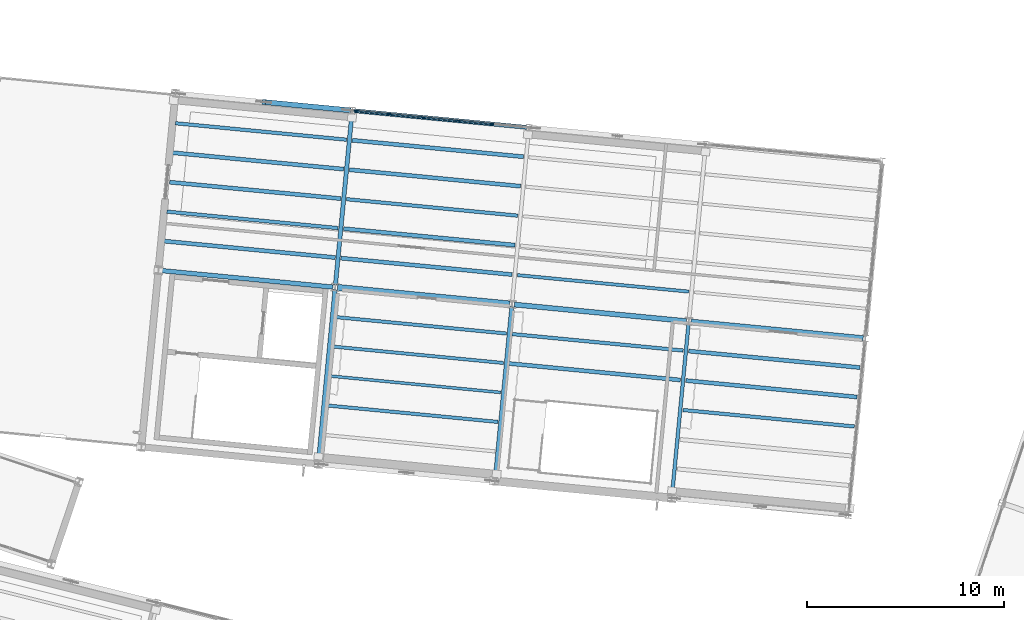
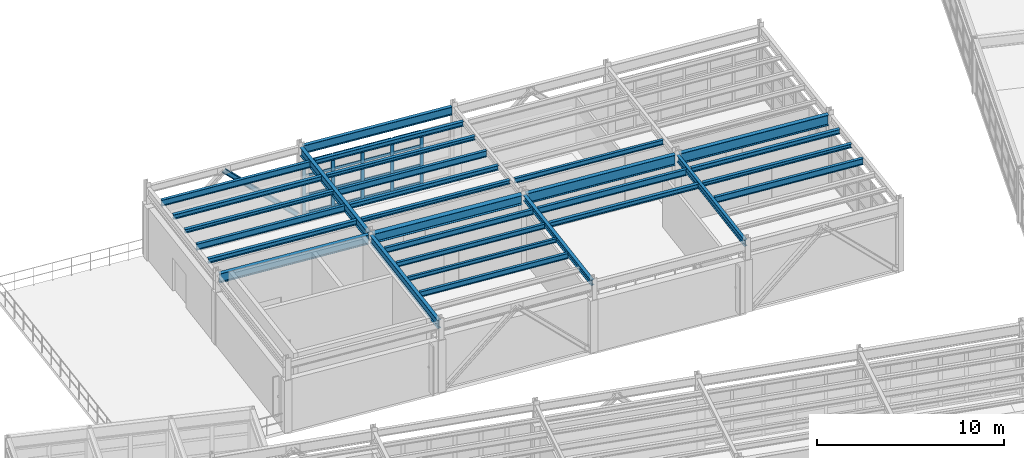
# One storey, part 46 of 102: 29 beams, 22 members, 1 element without a shape of its own.
"""IFC4 building model written with IfcOpenShell, lengths in metres."""

from ifc_helpers import new_model, si_unit, direction, frame, origin, origin_2d, place, context, subcontext, project, spatial, rectangle, i_section, extrude, material, layer, layer_set, material_profile, profile_set, type_object, element, aggregate, save


model = new_model("IFC4")

# Units and contexts
model_context = context("Model", 3, precision=1e-05, world=origin(), true_north=direction((0.0, 1.0)))
body_context = subcontext(model_context, "Body", "Model", "MODEL_VIEW")
ifc_project = project(units=[si_unit("LENGTHUNIT", "METRE"), si_unit("AREAUNIT", "SQUARE_METRE"), si_unit("VOLUMEUNIT", "CUBIC_METRE"), si_unit("PLANEANGLEUNIT", "RADIAN"), si_unit("MASSUNIT", "GRAM", prefix="KILO")], contexts=[model_context])

# Site, building, storey
site_placement = place(None, origin())
site = spatial("IfcSite", under=ifc_project, at=site_placement, CompositionType="ELEMENT")
building_placement = place(site_placement, origin())
building = spatial("IfcBuilding", under=site, at=building_placement, Name="Vireo Bluff Cable Station", CompositionType="ELEMENT")
storey_placement = place(building_placement, frame((0.0, 0.0, 9.60009765625)))
storey = spatial("IfcBuildingStorey", under=building, at=storey_placement, Name="L02", CompositionType="ELEMENT", Elevation=9.60009765625)

# Beams
ifc_material_1 = material(Name="Steel ASTM A992 Gr. 50", Category="steel")
ifc_material_profile_1 = material_profile(ifc_material_1, i_section(OverallWidth=0.2041015625, OverallDepth=0.35009765625, WebThickness=0.008544921875, FlangeThickness=0.01513671875, FilletRadius=0.010009765625, at=origin_2d()), Name="W14X48")
ifc_profile_set_1 = profile_set([ifc_material_profile_1], Name="Steel ASTM A992 Gr. 50")
beam_type_1 = type_object("IfcBeamType", Name="BM-W14X48", PredefinedType="BEAM", material=ifc_profile_set_1)
beam_1_placement = place(storey_placement, frame((85.666748046875, 65.398193359375, 4.324951171875), z_axis=(0.095846764416, 0.995396100932, 0.0), x_axis=(-0.995396100932, 0.095846764416, 0.0)))
element("IfcBeam", 1, at=beam_1_placement, inside=storey, type_object=beam_type_1, Name="V3 L02 beam 728", PredefinedType="BEAM", context=body_context, shape_type="SweptSolid", body=[
    extrude(i_section(OverallWidth=0.2041015625, OverallDepth=0.35009765625, WebThickness=0.008544921875, FlangeThickness=0.01513671875, FilletRadius=0.010009765625, at=origin_2d()), origin(), (0.0, 0.0, 1.0), 8.759765625),
])
ifc_material_profile_2 = material_profile(ifc_material_1, i_section(OverallWidth=0.180908203125, OverallDepth=0.4169921875, WebThickness=0.010986328125, FlangeThickness=0.018310546875, FilletRadius=0.010009765625, at=origin_2d()), Name="W16X57")
ifc_profile_set_2 = profile_set([ifc_material_profile_2], Name="Steel ASTM A992 Gr. 50")
beam_type_2 = type_object("IfcBeamType", Name="BM-W16X57", PredefinedType="BEAM", material=ifc_profile_set_2)
beam_2_placement = place(storey_placement, frame((94.625244140625, 64.535400390625, 4.29150390625), z_axis=(0.095844105487, 0.995396356957, 0.0), x_axis=(-0.995396356957, 0.095844105487, 0.0)))
element("IfcBeam", 2, at=beam_2_placement, inside=storey, type_object=beam_type_2, Name="V3 L02 beam 730", PredefinedType="BEAM", context=body_context, shape_type="SweptSolid", body=[
    extrude(i_section(OverallWidth=0.180908203125, OverallDepth=0.4169921875, WebThickness=0.010986328125, FlangeThickness=0.018310546875, FilletRadius=0.010009765625, at=origin_2d()), origin(), (0.0, 0.0, 1.0), 8.760009765625),
])
ifc_material_profile_3 = material_profile(ifc_material_1, i_section(OverallWidth=0.2099609375, OverallDepth=0.535888671875, WebThickness=0.010986328125, FlangeThickness=0.017333984375, FilletRadius=0.012939453125, at=origin_2d()), Name="W21X68")
ifc_profile_set_3 = profile_set([ifc_material_profile_3], Name="Steel ASTM A992 Gr. 50")
beam_type_3 = type_object("IfcBeamType", Name="BM-W21X68", PredefinedType="BEAM", material=ifc_profile_set_3)
beam_3_placement = place(storey_placement, frame((76.708251953125, 66.2607421875, 4.23193359375), z_axis=(0.095844105487, 0.995396356957, 0.0), x_axis=(-0.995396356957, 0.095844105487, 0.0)))
element("IfcBeam", 3, at=beam_3_placement, inside=storey, type_object=beam_type_3, Name="V3 L02 beam 726", PredefinedType="BEAM", context=body_context, shape_type="SweptSolid", body=[
    extrude(i_section(OverallWidth=0.2099609375, OverallDepth=0.535888671875, WebThickness=0.010986328125, FlangeThickness=0.017333984375, FilletRadius=0.012939453125, at=origin_2d()), origin(), (0.0, 0.0, 1.0), 8.760009765625),
])
ifc_material_profile_4 = material_profile(ifc_material_1, i_section(OverallWidth=0.214111328125, OverallDepth=0.549072265625, WebThickness=0.0146484375, FlangeThickness=0.023681640625, FilletRadius=0.012939453125, at=origin_2d()), Name="W21X93")
ifc_profile_set_4 = profile_set([ifc_material_profile_4], Name="Steel ASTM A992 Gr. 50")
beam_type_4 = type_object("IfcBeamType", Name="BM-W21X93", PredefinedType="BEAM", material=ifc_profile_set_4)
beam_4_placement = place(storey_placement, frame((77.57080078125, 75.21923828125, 4.225341796875), z_axis=(0.095844105487, 0.995396356957, 0.0), x_axis=(-0.995396356957, 0.095844105487, 0.0)))
element("IfcBeam", 4, at=beam_4_placement, inside=storey, type_object=beam_type_4, Name="V3 L02 beam 727", PredefinedType="BEAM", context=body_context, shape_type="SweptSolid", body=[
    extrude(i_section(OverallWidth=0.214111328125, OverallDepth=0.549072265625, WebThickness=0.0146484375, FlangeThickness=0.023681640625, FilletRadius=0.012939453125, at=origin_2d()), origin(), (0.0, 0.0, 1.0), 8.760009765625),
])

# Member
ifc_material_profile_5 = material_profile(ifc_material_1, i_section(OverallWidth=0.257080078125, OverallDepth=0.263916015625, WebThickness=0.011962890625, FlangeThickness=0.01953125, FilletRadius=0.009033203125, at=origin_2d()), Name="W10X68")
ifc_profile_set_5 = profile_set([ifc_material_profile_5], Name="Steel ASTM A992 Gr. 50")
member_type_1 = type_object("IfcMemberType", Name="BRC-03", PredefinedType="BRACE", material=ifc_profile_set_5)
member_1_placement = place(storey_placement, frame((78.2626953125, 84.07373046875, 0.039794921875), z_axis=(-0.720243592379, 0.069358297904, 0.690245314471), x_axis=(-0.095854965264, -0.995395311238, 0.0)))
element("IfcMember", 5, at=member_1_placement, inside=storey, type_object=member_type_1, Name="V3 L02 concentric brace 56R", PredefinedType="BRACE", context=body_context, shape_type="SweptSolid", body=[
    extrude(i_section(OverallWidth=0.257080078125, OverallDepth=0.263916015625, WebThickness=0.011962890625, FlangeThickness=0.01953125, FilletRadius=0.009033203125, at=origin_2d()), origin(), (0.0, 0.0, 1.0), 5.998046875),
])

# Curtain wall, members
ifc_material_2 = material(Name="Anodized Aluminium 6063-T6", Category="aluminium")
ifc_layer = layer(ifc_material_2, 0.179931640625, Name="Anodized Aluminium 6063-T6")
ifc_layer_set = layer_set([ifc_layer], Name="Anodized Aluminium 6063-T6")
curtain_wall_type = type_object("IfcCurtainWallType", Name="CW-UNIT-1650", PredefinedType="USERDEFINED", material=ifc_layer_set)
curtain_wall_placement = place(storey_placement, origin())
curtain_wall = element("IfcCurtainWall", 6, at=curtain_wall_placement, inside=storey, type_object=curtain_wall_type, Name="V3 L02 north curtain wall CW-077", ObjectType="UNITISED CURTAIN WALL", PredefinedType="USERDEFINED")
ifc_material_profile_6 = material_profile(ifc_material_2, rectangle(XDim=0.074951171875, YDim=0.2099609375, at=origin_2d()), Name="ALU-M-75X210")
ifc_profile_set_6 = profile_set([ifc_material_profile_6], Name="Anodized Aluminium 6063-T6")
member_type_2 = type_object("IfcMemberType", Name="CWM-02", PredefinedType="MULLION", material=ifc_profile_set_6)
member_2_placement = place(storey_placement, frame((78.616943359375, 84.03955078125, 0.0), z_axis=(0.0, 0.0, 1.0), x_axis=(0.09584571119, 0.995396202347, 0.0)))
member_2 = element("IfcMember", 7, at=member_2_placement, type_object=member_type_2, Name="CW-077 mullion 1", PredefinedType="MULLION", context=body_context, shape_type="SweptSolid", body=[
    extrude(rectangle(XDim=0.074951171875, YDim=0.2099609375, at=origin_2d()), origin(), (0.0, 0.0, 1.0), 3.39990234375),
])
member_3_placement = place(storey_placement, frame((80.30859375, 83.876708984375, 0.0), z_axis=(0.0, 0.0, 1.0), x_axis=(0.09584571119, 0.995396202347, 0.0)))
member_3 = element("IfcMember", 8, at=member_3_placement, type_object=member_type_2, Name="CW-077 mullion 2", PredefinedType="MULLION", context=body_context, shape_type="SweptSolid", body=[
    extrude(rectangle(XDim=0.074951171875, YDim=0.2099609375, at=origin_2d()), origin(), (0.0, 0.0, 1.0), 3.39990234375),
])
member_4_placement = place(storey_placement, frame((82.03759765625, 83.710205078125, 0.0), z_axis=(0.0, 0.0, 1.0), x_axis=(0.09584571119, 0.995396202347, 0.0)))
member_4 = element("IfcMember", 9, at=member_4_placement, type_object=member_type_2, Name="CW-077 mullion 3", PredefinedType="MULLION", context=body_context, shape_type="SweptSolid", body=[
    extrude(rectangle(XDim=0.074951171875, YDim=0.2099609375, at=origin_2d()), origin(), (0.0, 0.0, 1.0), 3.39990234375),
])
member_5_placement = place(storey_placement, frame((83.7666015625, 83.543701171875, 0.0), z_axis=(0.0, 0.0, 1.0), x_axis=(0.09584571119, 0.995396202347, 0.0)))
member_5 = element("IfcMember", 10, at=member_5_placement, type_object=member_type_2, Name="CW-077 mullion 4", PredefinedType="MULLION", context=body_context, shape_type="SweptSolid", body=[
    extrude(rectangle(XDim=0.074951171875, YDim=0.2099609375, at=origin_2d()), origin(), (0.0, 0.0, 1.0), 3.39990234375),
])
member_6_placement = place(storey_placement, frame((85.49560546875, 83.377197265625, 0.0), z_axis=(0.0, 0.0, 1.0), x_axis=(0.09584571119, 0.995396202347, 0.0)))
member_6 = element("IfcMember", 11, at=member_6_placement, type_object=member_type_2, Name="CW-077 mullion 5", PredefinedType="MULLION", context=body_context, shape_type="SweptSolid", body=[
    extrude(rectangle(XDim=0.074951171875, YDim=0.2099609375, at=origin_2d()), origin(), (0.0, 0.0, 1.0), 3.39990234375),
])
ifc_material_profile_7 = material_profile(ifc_material_2, rectangle(XDim=0.074951171875, YDim=0.159912109375, at=origin_2d()), Name="ALU-T-75X160")
ifc_profile_set_7 = profile_set([ifc_material_profile_7], Name="Anodized Aluminium 6063-T6")
member_type_3 = type_object("IfcMemberType", Name="CWT-02", PredefinedType="USERDEFINED", material=ifc_profile_set_7)
member_7_placement = place(storey_placement, frame((78.654296875, 84.0361328125, 0.037353515625), z_axis=(0.995392216614, -0.095887095606, 0.0), x_axis=(0.095887095606, 0.995392216614, 0.0)))
member_7 = element("IfcMember", 12, at=member_7_placement, type_object=member_type_3, Name="CW-077 transom 1.1", ObjectType="TRANSOM", PredefinedType="USERDEFINED", context=body_context, shape_type="SweptSolid", body=[
    extrude(rectangle(XDim=0.074951171875, YDim=0.159912109375, at=origin_2d()), origin(), (0.0, 0.0, 1.0), 1.62451171875),
])
member_8_placement = place(storey_placement, frame((78.654296875, 84.0361328125, 1.18994140625), z_axis=(0.995392216614, -0.095887095606, 0.0), x_axis=(0.095887095606, 0.995392216614, 0.0)))
member_8 = element("IfcMember", 13, at=member_8_placement, type_object=member_type_3, Name="CW-077 transom 1.2", ObjectType="TRANSOM", PredefinedType="USERDEFINED", context=body_context, shape_type="SweptSolid", body=[
    extrude(rectangle(XDim=0.074951171875, YDim=0.159912109375, at=origin_2d()), origin(), (0.0, 0.0, 1.0), 1.62451171875),
])
member_9_placement = place(storey_placement, frame((78.654296875, 84.0361328125, 2.447998046875), z_axis=(0.995392216614, -0.095887095606, 0.0), x_axis=(0.095887095606, 0.995392216614, 0.0)))
member_9 = element("IfcMember", 14, at=member_9_placement, type_object=member_type_3, Name="CW-077 transom 1.3", ObjectType="TRANSOM", PredefinedType="USERDEFINED", context=body_context, shape_type="SweptSolid", body=[
    extrude(rectangle(XDim=0.074951171875, YDim=0.159912109375, at=origin_2d()), origin(), (0.0, 0.0, 1.0), 1.62451171875),
])
member_10_placement = place(storey_placement, frame((78.654296875, 84.0361328125, 3.3623046875), z_axis=(0.995392216614, -0.095887095606, 0.0), x_axis=(0.095887095606, 0.995392216614, 0.0)))
member_10 = element("IfcMember", 15, at=member_10_placement, type_object=member_type_3, Name="CW-077 transom 1.4", ObjectType="TRANSOM", PredefinedType="USERDEFINED", context=body_context, shape_type="SweptSolid", body=[
    extrude(rectangle(XDim=0.074951171875, YDim=0.159912109375, at=origin_2d()), origin(), (0.0, 0.0, 1.0), 1.62451171875),
])
member_11_placement = place(storey_placement, frame((80.345947265625, 83.873046875, 0.037353515625), z_axis=(0.995402567271, -0.095779585871, 0.0), x_axis=(0.095779585871, 0.995402567271, 0.0)))
member_11 = element("IfcMember", 16, at=member_11_placement, type_object=member_type_3, Name="CW-077 transom 2.1", ObjectType="TRANSOM", PredefinedType="USERDEFINED", context=body_context, shape_type="SweptSolid", body=[
    extrude(rectangle(XDim=0.074951171875, YDim=0.159912109375, at=origin_2d()), origin(), (0.0, 0.0, 1.0), 1.661865234375),
])
member_12_placement = place(storey_placement, frame((80.345947265625, 83.873046875, 1.18994140625), z_axis=(0.995402567271, -0.095779585871, 0.0), x_axis=(0.095779585871, 0.995402567271, 0.0)))
member_12 = element("IfcMember", 17, at=member_12_placement, type_object=member_type_3, Name="CW-077 transom 2.2", ObjectType="TRANSOM", PredefinedType="USERDEFINED", context=body_context, shape_type="SweptSolid", body=[
    extrude(rectangle(XDim=0.074951171875, YDim=0.159912109375, at=origin_2d()), origin(), (0.0, 0.0, 1.0), 1.661865234375),
])
member_13_placement = place(storey_placement, frame((80.345947265625, 83.873046875, 2.447998046875), z_axis=(0.995402567271, -0.095779585871, 0.0), x_axis=(0.095779585871, 0.995402567271, 0.0)))
member_13 = element("IfcMember", 18, at=member_13_placement, type_object=member_type_3, Name="CW-077 transom 2.3", ObjectType="TRANSOM", PredefinedType="USERDEFINED", context=body_context, shape_type="SweptSolid", body=[
    extrude(rectangle(XDim=0.074951171875, YDim=0.159912109375, at=origin_2d()), origin(), (0.0, 0.0, 1.0), 1.661865234375),
])
member_14_placement = place(storey_placement, frame((80.345947265625, 83.873046875, 3.3623046875), z_axis=(0.995402567271, -0.095779585871, 0.0), x_axis=(0.095779585871, 0.995402567271, 0.0)))
member_14 = element("IfcMember", 19, at=member_14_placement, type_object=member_type_3, Name="CW-077 transom 2.4", ObjectType="TRANSOM", PredefinedType="USERDEFINED", context=body_context, shape_type="SweptSolid", body=[
    extrude(rectangle(XDim=0.074951171875, YDim=0.159912109375, at=origin_2d()), origin(), (0.0, 0.0, 1.0), 1.661865234375),
])
member_15_placement = place(storey_placement, frame((82.074951171875, 83.70654296875, 0.037353515625), z_axis=(0.995402567271, -0.095779585871, 0.0), x_axis=(0.095779585871, 0.995402567271, 0.0)))
member_15 = element("IfcMember", 20, at=member_15_placement, type_object=member_type_3, Name="CW-077 transom 3.1", ObjectType="TRANSOM", PredefinedType="USERDEFINED", context=body_context, shape_type="SweptSolid", body=[
    extrude(rectangle(XDim=0.074951171875, YDim=0.159912109375, at=origin_2d()), origin(), (0.0, 0.0, 1.0), 1.661865234375),
])
member_16_placement = place(storey_placement, frame((82.074951171875, 83.70654296875, 1.18994140625), z_axis=(0.995402567271, -0.095779585871, 0.0), x_axis=(0.095779585871, 0.995402567271, 0.0)))
member_16 = element("IfcMember", 21, at=member_16_placement, type_object=member_type_3, Name="CW-077 transom 3.2", ObjectType="TRANSOM", PredefinedType="USERDEFINED", context=body_context, shape_type="SweptSolid", body=[
    extrude(rectangle(XDim=0.074951171875, YDim=0.159912109375, at=origin_2d()), origin(), (0.0, 0.0, 1.0), 1.661865234375),
])
member_17_placement = place(storey_placement, frame((82.074951171875, 83.70654296875, 2.447998046875), z_axis=(0.995402567271, -0.095779585871, 0.0), x_axis=(0.095779585871, 0.995402567271, 0.0)))
member_17 = element("IfcMember", 22, at=member_17_placement, type_object=member_type_3, Name="CW-077 transom 3.3", ObjectType="TRANSOM", PredefinedType="USERDEFINED", context=body_context, shape_type="SweptSolid", body=[
    extrude(rectangle(XDim=0.074951171875, YDim=0.159912109375, at=origin_2d()), origin(), (0.0, 0.0, 1.0), 1.661865234375),
])
member_18_placement = place(storey_placement, frame((82.074951171875, 83.70654296875, 3.3623046875), z_axis=(0.995402567271, -0.095779585871, 0.0), x_axis=(0.095779585871, 0.995402567271, 0.0)))
member_18 = element("IfcMember", 23, at=member_18_placement, type_object=member_type_3, Name="CW-077 transom 3.4", ObjectType="TRANSOM", PredefinedType="USERDEFINED", context=body_context, shape_type="SweptSolid", body=[
    extrude(rectangle(XDim=0.074951171875, YDim=0.159912109375, at=origin_2d()), origin(), (0.0, 0.0, 1.0), 1.661865234375),
])
member_19_placement = place(storey_placement, frame((83.803955078125, 83.5400390625, 0.037353515625), z_axis=(0.995402567271, -0.095779585871, 0.0), x_axis=(0.095779585871, 0.995402567271, 0.0)))
member_19 = element("IfcMember", 24, at=member_19_placement, type_object=member_type_3, Name="CW-077 transom 4.1", ObjectType="TRANSOM", PredefinedType="USERDEFINED", context=body_context, shape_type="SweptSolid", body=[
    extrude(rectangle(XDim=0.074951171875, YDim=0.159912109375, at=origin_2d()), origin(), (0.0, 0.0, 1.0), 1.661865234375),
])
member_20_placement = place(storey_placement, frame((83.803955078125, 83.5400390625, 1.18994140625), z_axis=(0.995402567271, -0.095779585871, 0.0), x_axis=(0.095779585871, 0.995402567271, 0.0)))
member_20 = element("IfcMember", 25, at=member_20_placement, type_object=member_type_3, Name="CW-077 transom 4.2", ObjectType="TRANSOM", PredefinedType="USERDEFINED", context=body_context, shape_type="SweptSolid", body=[
    extrude(rectangle(XDim=0.074951171875, YDim=0.159912109375, at=origin_2d()), origin(), (0.0, 0.0, 1.0), 1.661865234375),
])
member_21_placement = place(storey_placement, frame((83.803955078125, 83.5400390625, 2.447998046875), z_axis=(0.995402567271, -0.095779585871, 0.0), x_axis=(0.095779585871, 0.995402567271, 0.0)))
member_21 = element("IfcMember", 26, at=member_21_placement, type_object=member_type_3, Name="CW-077 transom 4.3", ObjectType="TRANSOM", PredefinedType="USERDEFINED", context=body_context, shape_type="SweptSolid", body=[
    extrude(rectangle(XDim=0.074951171875, YDim=0.159912109375, at=origin_2d()), origin(), (0.0, 0.0, 1.0), 1.661865234375),
])
member_22_placement = place(storey_placement, frame((83.803955078125, 83.5400390625, 3.3623046875), z_axis=(0.995402567271, -0.095779585871, 0.0), x_axis=(0.095779585871, 0.995402567271, 0.0)))
member_22 = element("IfcMember", 27, at=member_22_placement, type_object=member_type_3, Name="CW-077 transom 4.4", ObjectType="TRANSOM", PredefinedType="USERDEFINED", context=body_context, shape_type="SweptSolid", body=[
    extrude(rectangle(XDim=0.074951171875, YDim=0.159912109375, at=origin_2d()), origin(), (0.0, 0.0, 1.0), 1.661865234375),
])
aggregate(curtain_wall, [member_2, member_3, member_4, member_5, member_6, member_7, member_8, member_9, member_10, member_11, member_12, member_13, member_14, member_15, member_16, member_17, member_18, member_19, member_20, member_21, member_22])

# Beams
ifc_material_profile_8 = material_profile(ifc_material_1, i_section(OverallWidth=0.324951171875, OverallDepth=0.612060546875, WebThickness=0.0126953125, FlangeThickness=0.01904296875, FilletRadius=0.012939453125, at=origin_2d()), Name="W24X104")
ifc_profile_set_8 = profile_set([ifc_material_profile_8], Name="Steel ASTM A992 Gr. 50")
beam_type_5 = type_object("IfcBeamType", Name="GIR-W24X104", PredefinedType="USERDEFINED", material=ifc_profile_set_8)
beam_5_placement = place(storey_placement, frame((77.6787109375, 75.08837890625, 4.19384765625), z_axis=(0.995396356957, -0.095844105487, 0.0), x_axis=(0.095844105487, 0.995396356957, 0.0)))
element("IfcBeam", 28, at=beam_5_placement, inside=storey, type_object=beam_type_5, Name="V3 L02 girder 717", ObjectType="GIRDER", PredefinedType="USERDEFINED", context=body_context, shape_type="SweptSolid", body=[
    extrude(i_section(OverallWidth=0.324951171875, OverallDepth=0.612060546875, WebThickness=0.0126953125, FlangeThickness=0.01904296875, FilletRadius=0.012939453125, at=origin_2d()), origin(), (0.0, 0.0, 1.0), 8.760009765625),
])
ifc_material_profile_9 = material_profile(ifc_material_1, i_section(OverallWidth=0.22802734375, OverallDepth=0.60693359375, WebThickness=0.01123046875, FlangeThickness=0.017333984375, FilletRadius=0.012939453125, at=origin_2d()), Name="W24X76")
ifc_profile_set_9 = profile_set([ifc_material_profile_9], Name="Steel ASTM A992 Gr. 50")
beam_type_6 = type_object("IfcBeamType", Name="GIR-W24X76", PredefinedType="USERDEFINED", material=ifc_profile_set_9)
beam_6_placement = place(storey_placement, frame((68.72021484375, 75.950927734375, 4.1962890625), z_axis=(0.995396356957, -0.095844105487, 0.0), x_axis=(0.095844105487, 0.995396356957, 0.0)))
element("IfcBeam", 29, at=beam_6_placement, inside=storey, type_object=beam_type_6, Name="V3 L02 girder 716", ObjectType="GIRDER", PredefinedType="USERDEFINED", context=body_context, shape_type="SweptSolid", body=[
    extrude(i_section(OverallWidth=0.22802734375, OverallDepth=0.60693359375, WebThickness=0.01123046875, FlangeThickness=0.017333984375, FilletRadius=0.012939453125, at=origin_2d()), origin(), (0.0, 0.0, 1.0), 8.760009765625),
])
ifc_material_profile_10 = material_profile(ifc_material_1, i_section(OverallWidth=0.257080078125, OverallDepth=0.693115234375, WebThickness=0.014404296875, FlangeThickness=0.023681640625, FilletRadius=0.014892578125, at=origin_2d()), Name="W27X114")
ifc_profile_set_10 = profile_set([ifc_material_profile_10], Name="Steel ASTM A992 Gr. 50")
beam_type_7 = type_object("IfcBeamType", Name="GIR-W27X114", PredefinedType="USERDEFINED", material=ifc_profile_set_10)
beam_7_placement = place(storey_placement, frame((95.595947265625, 73.363037109375, 4.1533203125), z_axis=(0.995396100932, -0.095846764416, 0.0), x_axis=(0.095846764416, 0.995396100932, 0.0)))
element("IfcBeam", 30, at=beam_7_placement, inside=storey, type_object=beam_type_7, Name="V3 L02 girder 719", ObjectType="GIRDER", PredefinedType="USERDEFINED", context=body_context, shape_type="SweptSolid", body=[
    extrude(i_section(OverallWidth=0.257080078125, OverallDepth=0.693115234375, WebThickness=0.014404296875, FlangeThickness=0.023681640625, FilletRadius=0.014892578125, at=origin_2d()), origin(), (0.0, 0.0, 1.0), 8.759765625),
])
ifc_material_profile_11 = material_profile(ifc_material_1, i_section(OverallWidth=0.2529296875, OverallDepth=0.677978515625, WebThickness=0.01171875, FlangeThickness=0.016357421875, FilletRadius=0.014892578125, at=origin_2d()), Name="W27X84")
ifc_profile_set_11 = profile_set([ifc_material_profile_11], Name="Steel ASTM A992 Gr. 50")
beam_type_8 = type_object("IfcBeamType", Name="GIR-W27X84", PredefinedType="USERDEFINED", material=ifc_profile_set_11)
beam_8_placement = place(storey_placement, frame((86.63720703125, 74.225830078125, 4.160888671875), z_axis=(0.995396356957, -0.095844105487, 0.0), x_axis=(0.095844105487, 0.995396356957, 0.0)))
element("IfcBeam", 31, at=beam_8_placement, inside=storey, type_object=beam_type_8, Name="V3 L02 girder 718", ObjectType="GIRDER", PredefinedType="USERDEFINED", context=body_context, shape_type="SweptSolid", body=[
    extrude(i_section(OverallWidth=0.2529296875, OverallDepth=0.677978515625, WebThickness=0.01171875, FlangeThickness=0.016357421875, FilletRadius=0.014892578125, at=origin_2d()), origin(), (0.0, 0.0, 1.0), 8.760009765625),
])
ifc_material_profile_12 = material_profile(ifc_material_1, i_section(OverallWidth=0.14599609375, OverallDepth=0.259033203125, WebThickness=0.006103515625, FlangeThickness=0.009033203125, FilletRadius=0.009033203125, at=origin_2d()), Name="W10X22")
ifc_profile_set_12 = profile_set([ifc_material_profile_12], Name="Steel ASTM A992 Gr. 50")
beam_type_9 = type_object("IfcBeamType", Name="JST-W10X22", PredefinedType="JOIST", material=ifc_profile_set_12)
beam_9_placement = place(storey_placement, frame((77.267333984375, 70.607177734375, 4.370361328125), z_axis=(0.995394500818, -0.095863380609, 0.0), x_axis=(0.095863380609, 0.995394500818, 0.0)))
element("IfcBeam", 32, at=beam_9_placement, inside=storey, type_object=beam_type_9, Name="V3 L02 composite joist 741", PredefinedType="JOIST", context=body_context, shape_type="SweptSolid", body=[
    extrude(i_section(OverallWidth=0.14599609375, OverallDepth=0.259033203125, WebThickness=0.006103515625, FlangeThickness=0.009033203125, FilletRadius=0.009033203125, at=origin_2d()), origin(), (0.0, 0.0, 1.0), 8.719970703125),
])
ifc_material_profile_13 = material_profile(ifc_material_1, i_section(OverallWidth=0.201904296875, OverallDepth=0.2470703125, WebThickness=0.00732421875, FlangeThickness=0.010986328125, FilletRadius=0.009033203125, at=origin_2d()), Name="W10X33")
ifc_profile_set_13 = profile_set([ifc_material_profile_13], Name="Steel ASTM A992 Gr. 50")
beam_type_10 = type_object("IfcBeamType", Name="JST-W10X33", PredefinedType="JOIST", material=ifc_profile_set_13)
for number, where, z_axis, x_axis, name in (
    (33, (69.17138671875, 80.42822265625, 4.37646484375), (0.995397172011, -0.095835640306, 0.0), (0.095835640306, 0.995397172011, 0.0), "V3 L02 composite joist 736"),
    (34, (77.84228515625, 76.57958984375, 4.37646484375), (0.995394500818, -0.095863380609, 0.0), (0.095863380609, 0.995394500818, 0.0), "V3 L02 composite joist 744"),
    (35, (78.273681640625, 81.058837890625, 4.37646484375), (0.995394500818, -0.095863380609, 0.0), (0.095863380609, 0.995394500818, 0.0), "V3 L02 composite joist 747"),
    (36, (95.328125, 70.375, 4.37646484375), (0.995397172011, -0.095835640306, 0.0), (0.095835640306, 0.995397172011, 0.0), "V3 L02 composite joist 759"),
):
    element("IfcBeam", number, at=place(storey_placement, frame(where, z_axis=z_axis, x_axis=x_axis)), inside=storey, type_object=beam_type_10, Name=name, PredefinedType="JOIST", context=body_context, shape_type="SweptSolid", body=[
        extrude(i_section(OverallWidth=0.201904296875, OverallDepth=0.2470703125, WebThickness=0.00732421875, FlangeThickness=0.010986328125, FilletRadius=0.009033203125, at=origin_2d()), origin(), (0.0, 0.0, 1.0), 8.719970703125),
    ])
ifc_material_profile_14 = material_profile(ifc_material_1, i_section(OverallWidth=0.1650390625, OverallDepth=0.31005859375, WebThickness=0.005859375, FlangeThickness=0.009765625, FilletRadius=0.010009765625, at=origin_2d()), Name="W12X26")
ifc_profile_set_14 = profile_set([ifc_material_profile_14], Name="Steel ASTM A992 Gr. 50")
beam_type_11 = type_object("IfcBeamType", Name="JST-W12X26", PredefinedType="JOIST", material=ifc_profile_set_14)
beam_10_placement = place(storey_placement, frame((77.4111328125, 72.100341796875, 4.344970703125), z_axis=(0.995394500818, -0.095863380609, 0.0), x_axis=(0.095863380609, 0.995394500818, 0.0)))
element("IfcBeam", 37, at=beam_10_placement, inside=storey, type_object=beam_type_11, Name="V3 L02 composite joist 742", PredefinedType="JOIST", context=body_context, shape_type="SweptSolid", body=[
    extrude(i_section(OverallWidth=0.1650390625, OverallDepth=0.31005859375, WebThickness=0.005859375, FlangeThickness=0.009765625, FilletRadius=0.010009765625, at=origin_2d()), origin(), (0.0, 0.0, 1.0), 8.719970703125),
])
beam_11_placement = place(storey_placement, frame((86.801025390625, 75.716796875, 4.344970703125), z_axis=(0.995396914857, -0.095838311194, 0.0), x_axis=(0.095838311194, 0.995396914857, 0.0)))
element("IfcBeam", 38, at=beam_11_placement, inside=storey, type_object=beam_type_11, Name="V3 L02 composite joist 751", PredefinedType="JOIST", context=body_context, shape_type="SweptSolid", body=[
    extrude(i_section(OverallWidth=0.1650390625, OverallDepth=0.31005859375, WebThickness=0.005859375, FlangeThickness=0.009765625, FilletRadius=0.010009765625, at=origin_2d()), origin(), (0.0, 0.0, 1.0), 8.7197265625),
])
ifc_material_profile_15 = material_profile(ifc_material_1, i_section(OverallWidth=0.202880859375, OverallDepth=0.302978515625, WebThickness=0.007568359375, FlangeThickness=0.01318359375, FilletRadius=0.010009765625, at=origin_2d()), Name="W12X40")
ifc_profile_set_15 = profile_set([ifc_material_profile_15], Name="Steel ASTM A992 Gr. 50")
beam_type_12 = type_object("IfcBeamType", Name="JST-W12X40", PredefinedType="JOIST", material=ifc_profile_set_15)
beam_12_placement = place(storey_placement, frame((68.8837890625, 77.442138671875, 4.348388671875), z_axis=(0.995397172011, -0.095835640306, 0.0), x_axis=(0.095835640306, 0.995397172011, 0.0)))
element("IfcBeam", 39, at=beam_12_placement, inside=storey, type_object=beam_type_12, Name="V3 L02 composite joist 734", PredefinedType="JOIST", context=body_context, shape_type="SweptSolid", body=[
    extrude(i_section(OverallWidth=0.202880859375, OverallDepth=0.302978515625, WebThickness=0.007568359375, FlangeThickness=0.01318359375, FilletRadius=0.010009765625, at=origin_2d()), origin(), (0.0, 0.0, 1.0), 8.719970703125),
])
beam_13_placement = place(storey_placement, frame((69.315185546875, 81.92138671875, 4.348388671875), z_axis=(0.995396914857, -0.095838311194, 0.0), x_axis=(0.095838311194, 0.995396914857, 0.0)))
element("IfcBeam", 40, at=beam_13_placement, inside=storey, type_object=beam_type_12, Name="V3 L02 composite joist 737", PredefinedType="JOIST", context=body_context, shape_type="SweptSolid", body=[
    extrude(i_section(OverallWidth=0.202880859375, OverallDepth=0.302978515625, WebThickness=0.007568359375, FlangeThickness=0.01318359375, FilletRadius=0.010009765625, at=origin_2d()), origin(), (0.0, 0.0, 1.0), 8.7197265625),
])
for number, where, z_axis, x_axis, name in (
    (41, (77.986083984375, 78.072509765625, 4.348388671875), (0.995397172011, -0.095835640306, 0.0), (0.095835640306, 0.995397172011, 0.0), "V3 L02 composite joist 745"),
    (42, (78.41748046875, 82.552001953125, 4.348388671875), (0.995394500818, -0.095863380609, 0.0), (0.095863380609, 0.995394500818, 0.0), "V3 L02 composite joist 748"),
    (43, (86.36962890625, 71.237548828125, 4.348388671875), (0.995397172011, -0.095835640306, 0.0), (0.095835640306, 0.995397172011, 0.0), "V3 L02 composite joist 749"),
    (44, (95.471923828125, 71.8681640625, 4.348388671875), (0.995394500818, -0.095863380609, 0.0), (0.095863380609, 0.995394500818, 0.0), "V3 L02 composite joist 760"),
):
    element("IfcBeam", number, at=place(storey_placement, frame(where, z_axis=z_axis, x_axis=x_axis)), inside=storey, type_object=beam_type_12, Name=name, PredefinedType="JOIST", context=body_context, shape_type="SweptSolid", body=[
        extrude(i_section(OverallWidth=0.202880859375, OverallDepth=0.302978515625, WebThickness=0.007568359375, FlangeThickness=0.01318359375, FilletRadius=0.010009765625, at=origin_2d()), origin(), (0.0, 0.0, 1.0), 8.719970703125),
    ])
ifc_material_profile_16 = material_profile(ifc_material_1, i_section(OverallWidth=0.1708984375, OverallDepth=0.35107421875, WebThickness=0.0068359375, FlangeThickness=0.009765625, FilletRadius=0.010009765625, at=origin_2d()), Name="W14X30")
ifc_profile_set_16 = profile_set([ifc_material_profile_16], Name="Steel ASTM A992 Gr. 50")
beam_type_13 = type_object("IfcBeamType", Name="JST-W14X30", PredefinedType="JOIST", material=ifc_profile_set_16)
beam_14_placement = place(storey_placement, frame((77.12353515625, 69.114013671875, 4.324462890625), z_axis=(0.995397172011, -0.095835640306, 0.0), x_axis=(0.095835640306, 0.995397172011, 0.0)))
element("IfcBeam", 45, at=beam_14_placement, inside=storey, type_object=beam_type_13, Name="V3 L02 composite joist 740", PredefinedType="JOIST", context=body_context, shape_type="SweptSolid", body=[
    extrude(i_section(OverallWidth=0.1708984375, OverallDepth=0.35107421875, WebThickness=0.0068359375, FlangeThickness=0.009765625, FilletRadius=0.010009765625, at=origin_2d()), origin(), (0.0, 0.0, 1.0), 8.719970703125),
])
beam_15_placement = place(storey_placement, frame((77.554931640625, 73.59326171875, 4.324462890625), z_axis=(0.995396914857, -0.095838311194, 0.0), x_axis=(0.095838311194, 0.995396914857, 0.0)))
element("IfcBeam", 46, at=beam_15_placement, inside=storey, type_object=beam_type_13, Name="V3 L02 composite joist 743", PredefinedType="JOIST", context=body_context, shape_type="SweptSolid", body=[
    extrude(i_section(OverallWidth=0.1708984375, OverallDepth=0.35107421875, WebThickness=0.0068359375, FlangeThickness=0.009765625, FilletRadius=0.010009765625, at=origin_2d()), origin(), (0.0, 0.0, 1.0), 8.7197265625),
])
ifc_material_profile_17 = material_profile(ifc_material_1, i_section(OverallWidth=0.177978515625, OverallDepth=0.404052734375, WebThickness=0.007568359375, FlangeThickness=0.010986328125, FilletRadius=0.010009765625, at=origin_2d()), Name="W16X36")
ifc_profile_set_17 = profile_set([ifc_material_profile_17], Name="Steel ASTM A992 Gr. 50")
beam_type_14 = type_object("IfcBeamType", Name="JST-W16X36", PredefinedType="JOIST", material=ifc_profile_set_17)
for number, where, z_axis, x_axis, name in (
    (47, (69.027587890625, 78.935302734375, 4.2978515625), (0.995394500818, -0.095863380609, 0.0), (0.095863380609, 0.995394500818, 0.0), "V3 L02 composite joist 735"),
    (48, (69.458984375, 83.41455078125, 4.2978515625), (0.995394243516, -0.095866052256, 0.0), (0.095866052256, 0.995394243516, 0.0), "V3 L02 composite joist 738"),
    (49, (78.1298828125, 79.565673828125, 4.2978515625), (0.995397172011, -0.095835640306, 0.0), (0.095835640306, 0.995397172011, 0.0), "V3 L02 composite joist 746"),
    (50, (86.513427734375, 72.730712890625, 4.2978515625), (0.995397172011, -0.095835640306, 0.0), (0.095835640306, 0.995397172011, 0.0), "V3 L02 composite joist 750"),
):
    element("IfcBeam", number, at=place(storey_placement, frame(where, z_axis=z_axis, x_axis=x_axis)), inside=storey, type_object=beam_type_14, Name=name, PredefinedType="JOIST", context=body_context, shape_type="SweptSolid", body=[
        extrude(i_section(OverallWidth=0.177978515625, OverallDepth=0.404052734375, WebThickness=0.007568359375, FlangeThickness=0.010986328125, FilletRadius=0.010009765625, at=origin_2d()), origin(), (0.0, 0.0, 1.0), 8.719970703125),
    ])
beam_16_placement = place(storey_placement, frame((95.1845703125, 68.8818359375, 4.2978515625), z_axis=(0.995396914857, -0.095838311194, 0.0), x_axis=(0.095838311194, 0.995396914857, 0.0)))
element("IfcBeam", 51, at=beam_16_placement, inside=storey, type_object=beam_type_14, Name="V3 L02 composite joist 758", PredefinedType="JOIST", context=body_context, shape_type="SweptSolid", body=[
    extrude(i_section(OverallWidth=0.177978515625, OverallDepth=0.404052734375, WebThickness=0.007568359375, FlangeThickness=0.010986328125, FilletRadius=0.010009765625, at=origin_2d()), origin(), (0.0, 0.0, 1.0), 8.7197265625),
])
ifc_material_profile_18 = material_profile(ifc_material_1, i_section(OverallWidth=0.2099609375, OverallDepth=0.535888671875, WebThickness=0.010986328125, FlangeThickness=0.017333984375, FilletRadius=0.012939453125, at=origin_2d()), Name="W21X68")
ifc_profile_set_18 = profile_set([ifc_material_profile_18], Name="Steel ASTM A992 Gr. 50")
beam_type_15 = type_object("IfcBeamType", Name="SPN-W21X68", PredefinedType="SPANDREL", material=ifc_profile_set_18)
beam_17_placement = place(storey_placement, frame((78.541259765625, 84.046875, 4.23193359375), z_axis=(0.995396356957, -0.095844105487, 0.0), x_axis=(0.095844105487, 0.995396356957, 0.0)))
element("IfcBeam", 52, at=beam_17_placement, inside=storey, type_object=beam_type_15, Name="V3 L02 spandrel 721", PredefinedType="SPANDREL", context=body_context, shape_type="SweptSolid", body=[
    extrude(i_section(OverallWidth=0.2099609375, OverallDepth=0.535888671875, WebThickness=0.010986328125, FlangeThickness=0.017333984375, FilletRadius=0.012939453125, at=origin_2d()), origin(), (0.0, 0.0, 1.0), 8.760009765625),
])

save(model, "model.ifc")
